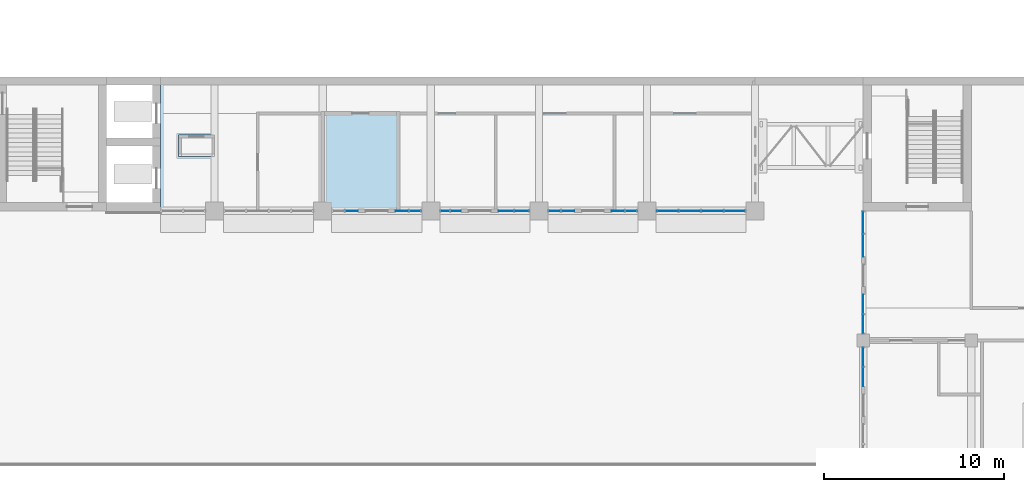
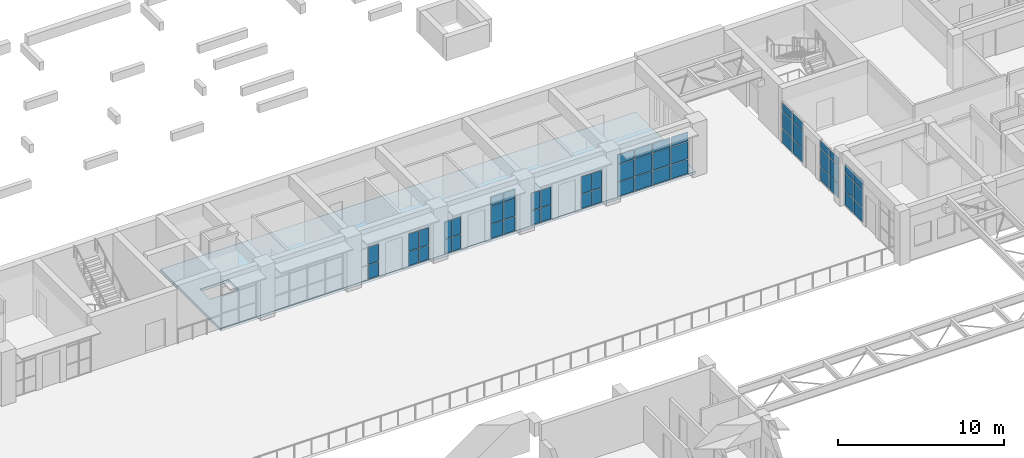
# One storey, part 53 of 103: 54 plates, 1 slab, 10 elements without a shape of their own.
"""IFC4 building model written with IfcOpenShell, lengths in metres."""

from ifc_helpers import new_model, si_unit, direction, frame, origin, origin_2d, place, context, subcontext, project, spatial, polyline, rectangle, outline, extrude, material, layer, layer_set, type_object, element, aggregate, save


model = new_model("IFC4")

# Units and contexts
model_context = context("Model", 3, precision=1e-05, world=origin(), true_north=direction((0.0, 1.0)))
body_context = subcontext(model_context, "Body", "Model", "MODEL_VIEW")
ifc_project = project(units=[si_unit("LENGTHUNIT", "METRE"), si_unit("AREAUNIT", "SQUARE_METRE"), si_unit("VOLUMEUNIT", "CUBIC_METRE"), si_unit("PLANEANGLEUNIT", "RADIAN"), si_unit("MASSUNIT", "GRAM", prefix="KILO")], contexts=[model_context])

# Site, building, storey
site_placement = place(None, origin())
site = spatial("IfcSite", under=ifc_project, at=site_placement, CompositionType="ELEMENT")
building_placement = place(site_placement, origin())
building = spatial("IfcBuilding", under=site, at=building_placement, Name="Laocheng Heights Fire and Rescue Headquarters", CompositionType="ELEMENT")
storey_placement = place(building_placement, frame((0.0, 0.0, 4.199951171875)))
storey = spatial("IfcBuildingStorey", under=building, at=storey_placement, Name="L01", CompositionType="ELEMENT", Elevation=4.199951171875)

# Curtain wall, plates
ifc_material_1 = material(Name="Dark anodised aluminium unitised curtain wall, low-e double glazing", Category="aluminium")
curtain_wall_type_1 = type_object("IfcCurtainWallType", Name="CW 2200 x 3150 CREW COURT GLAZING", PredefinedType="NOTDEFINED", material=ifc_material_1)
curtain_wall_1_placement = place(storey_placement, origin())
curtain_wall_1 = element("IfcCurtainWall", 1, at=curtain_wall_1_placement, inside=storey, type_object=curtain_wall_type_1, Name="X1-W CREW WEST L01", PredefinedType="NOTDEFINED")
ifc_material_2 = material(Name="Low-e double glazed unit, laminated inner pane")
ifc_layer_1 = layer(ifc_material_2, 0.028076171875)
ifc_layer_set_1 = layer_set([ifc_layer_1], Name="Low-e double glazed unit, laminated inner pane")
plate_type_1 = type_object("IfcPlateType", Name="CW VISION PANEL 28 W", PredefinedType="CURTAIN_PANEL", material=ifc_layer_set_1)
plate_1_placement = place(storey_placement, frame((90.0, 41.18505859375, 0.050048828125), z_axis=(0.0, 0.0, 1.0), x_axis=(0.0, 1.0, 0.0)))
plate_1 = element("IfcPlate", 2, at=plate_1_placement, type_object=plate_type_1, Name="X1-W panel 1.1", PredefinedType="CURTAIN_PANEL", context=body_context, shape_type="SweptSolid", body=[
    extrude(rectangle(XDim=1.070068359375, YDim=0.028076171875, at=origin_2d()), origin(), (0.0, 0.0, 1.0), 1.02490234375),
])
plate_2_placement = place(storey_placement, frame((90.0, 41.18505859375, 1.125), z_axis=(0.0, 0.0, 1.0), x_axis=(0.0, 1.0, 0.0)))
plate_2 = element("IfcPlate", 3, at=plate_2_placement, type_object=plate_type_1, Name="X1-W panel 1.2", PredefinedType="CURTAIN_PANEL", context=body_context, shape_type="SweptSolid", body=[
    extrude(rectangle(XDim=1.070068359375, YDim=0.028076171875, at=origin_2d()), origin(), (0.0, 0.0, 1.0), 1.25),
])
plate_3_placement = place(storey_placement, frame((90.0, 41.18505859375, 2.4248046875), z_axis=(0.0, 0.0, 1.0), x_axis=(0.0, 1.0, 0.0)))
plate_3 = element("IfcPlate", 4, at=plate_3_placement, type_object=plate_type_1, Name="X1-W panel 1.3", PredefinedType="CURTAIN_PANEL", context=body_context, shape_type="SweptSolid", body=[
    extrude(rectangle(XDim=1.070068359375, YDim=0.028076171875, at=origin_2d()), origin(), (0.0, 0.0, 1.0), 0.675048828125),
])
plate_4_placement = place(storey_placement, frame((90.0, 42.284912109375, 0.050048828125), z_axis=(0.0, 0.0, 1.0), x_axis=(0.0, 1.0, 0.0)))
plate_4 = element("IfcPlate", 5, at=plate_4_placement, type_object=plate_type_1, Name="X1-W panel 2.1", PredefinedType="CURTAIN_PANEL", context=body_context, shape_type="SweptSolid", body=[
    extrude(rectangle(XDim=1.010009765625, YDim=0.028076171875, at=origin_2d()), origin(), (0.0, 0.0, 1.0), 1.02490234375),
])
plate_5_placement = place(storey_placement, frame((90.0, 42.284912109375, 1.125), z_axis=(0.0, 0.0, 1.0), x_axis=(0.0, 1.0, 0.0)))
plate_5 = element("IfcPlate", 6, at=plate_5_placement, type_object=plate_type_1, Name="X1-W panel 2.2", PredefinedType="CURTAIN_PANEL", context=body_context, shape_type="SweptSolid", body=[
    extrude(rectangle(XDim=1.010009765625, YDim=0.028076171875, at=origin_2d()), origin(), (0.0, 0.0, 1.0), 1.25),
])
plate_6_placement = place(storey_placement, frame((90.0, 42.284912109375, 2.4248046875), z_axis=(0.0, 0.0, 1.0), x_axis=(0.0, 1.0, 0.0)))
plate_6 = element("IfcPlate", 7, at=plate_6_placement, type_object=plate_type_1, Name="X1-W panel 2.3", PredefinedType="CURTAIN_PANEL", context=body_context, shape_type="SweptSolid", body=[
    extrude(rectangle(XDim=1.010009765625, YDim=0.028076171875, at=origin_2d()), origin(), (0.0, 0.0, 1.0), 0.675048828125),
])
aggregate(curtain_wall_1, [plate_1, plate_2, plate_3, plate_4, plate_5, plate_6])

ifc_material_3 = material(Name="Dark anodised aluminium unitised curtain wall, low-e double glazing", Category="aluminium")
curtain_wall_type_2 = type_object("IfcCurtainWallType", Name="CW 2200 x 3050 CREW COURT GLAZING", PredefinedType="NOTDEFINED", material=ifc_material_3)
curtain_wall_2_placement = place(storey_placement, origin())
curtain_wall_2 = element("IfcCurtainWall", 8, at=curtain_wall_2_placement, inside=storey, type_object=curtain_wall_type_2, Name="X2-W CREW WEST L01", PredefinedType="NOTDEFINED")
plate_7_placement = place(storey_placement, frame((90.0, 44.114990234375, 0.050048828125), z_axis=(0.0, 0.0, 1.0), x_axis=(0.0, 1.0, 0.0)))
plate_7 = element("IfcPlate", 9, at=plate_7_placement, type_object=plate_type_1, Name="X2-W panel 1.1", PredefinedType="CURTAIN_PANEL", context=body_context, shape_type="SweptSolid", body=[
    extrude(rectangle(XDim=1.010009765625, YDim=0.028076171875, at=origin_2d()), origin(), (0.0, 0.0, 1.0), 1.02490234375),
])
plate_8_placement = place(storey_placement, frame((90.0, 44.114990234375, 1.125), z_axis=(0.0, 0.0, 1.0), x_axis=(0.0, 1.0, 0.0)))
plate_8 = element("IfcPlate", 10, at=plate_8_placement, type_object=plate_type_1, Name="X2-W panel 1.2", PredefinedType="CURTAIN_PANEL", context=body_context, shape_type="SweptSolid", body=[
    extrude(rectangle(XDim=1.010009765625, YDim=0.028076171875, at=origin_2d()), origin(), (0.0, 0.0, 1.0), 1.25),
])
plate_9_placement = place(storey_placement, frame((90.0, 44.114990234375, 2.42529296875), z_axis=(0.0, 0.0, 1.0), x_axis=(0.0, 1.0, 0.0)))
plate_9 = element("IfcPlate", 11, at=plate_9_placement, type_object=plate_type_1, Name="X2-W panel 1.3", PredefinedType="CURTAIN_PANEL", context=body_context, shape_type="SweptSolid", body=[
    extrude(rectangle(XDim=1.010009765625, YDim=0.028076171875, at=origin_2d()), origin(), (0.0, 0.0, 1.0), 0.574951171875),
])
plate_10_placement = place(storey_placement, frame((90.0, 45.215087890625, 0.050048828125), z_axis=(0.0, 0.0, 1.0), x_axis=(0.0, 1.0, 0.0)))
plate_10 = element("IfcPlate", 12, at=plate_10_placement, type_object=plate_type_1, Name="X2-W panel 2.1", PredefinedType="CURTAIN_PANEL", context=body_context, shape_type="SweptSolid", body=[
    extrude(rectangle(XDim=1.070068359375, YDim=0.028076171875, at=origin_2d()), origin(), (0.0, 0.0, 1.0), 1.02490234375),
])
plate_11_placement = place(storey_placement, frame((90.0, 45.215087890625, 1.125), z_axis=(0.0, 0.0, 1.0), x_axis=(0.0, 1.0, 0.0)))
plate_11 = element("IfcPlate", 13, at=plate_11_placement, type_object=plate_type_1, Name="X2-W panel 2.2", PredefinedType="CURTAIN_PANEL", context=body_context, shape_type="SweptSolid", body=[
    extrude(rectangle(XDim=1.070068359375, YDim=0.028076171875, at=origin_2d()), origin(), (0.0, 0.0, 1.0), 1.25),
])
plate_12_placement = place(storey_placement, frame((90.0, 45.215087890625, 2.42529296875), z_axis=(0.0, 0.0, 1.0), x_axis=(0.0, 1.0, 0.0)))
plate_12 = element("IfcPlate", 14, at=plate_12_placement, type_object=plate_type_1, Name="X2-W panel 2.3", PredefinedType="CURTAIN_PANEL", context=body_context, shape_type="SweptSolid", body=[
    extrude(rectangle(XDim=1.070068359375, YDim=0.028076171875, at=origin_2d()), origin(), (0.0, 0.0, 1.0), 0.574951171875),
])
aggregate(curtain_wall_2, [plate_7, plate_8, plate_9, plate_10, plate_11, plate_12])

ifc_material_4 = material(Name="Dark anodised aluminium unitised curtain wall, low-e double glazing", Category="aluminium")
curtain_wall_type_3 = type_object("IfcCurtainWallType", Name="CW 2550 x 3050 CREW COURT GLAZING", PredefinedType="NOTDEFINED", material=ifc_material_4)
curtain_wall_3_placement = place(storey_placement, origin())
curtain_wall_3 = element("IfcCurtainWall", 15, at=curtain_wall_3_placement, inside=storey, type_object=curtain_wall_type_3, Name="X3-W CREW WEST L01", PredefinedType="NOTDEFINED")
plate_13_placement = place(storey_placement, frame((90.0, 48.472412109375, 0.050048828125), z_axis=(0.0, 0.0, 1.0), x_axis=(0.0, 1.0, 0.0)))
plate_13 = element("IfcPlate", 16, at=plate_13_placement, type_object=plate_type_1, Name="X3-W panel 1.1", PredefinedType="CURTAIN_PANEL", context=body_context, shape_type="SweptSolid", body=[
    extrude(rectangle(XDim=1.2451171875, YDim=0.028076171875, at=origin_2d()), origin(), (0.0, 0.0, 1.0), 1.02490234375),
])
plate_14_placement = place(storey_placement, frame((90.0, 48.472412109375, 1.125), z_axis=(0.0, 0.0, 1.0), x_axis=(0.0, 1.0, 0.0)))
plate_14 = element("IfcPlate", 17, at=plate_14_placement, type_object=plate_type_1, Name="X3-W panel 1.2", PredefinedType="CURTAIN_PANEL", context=body_context, shape_type="SweptSolid", body=[
    extrude(rectangle(XDim=1.2451171875, YDim=0.028076171875, at=origin_2d()), origin(), (0.0, 0.0, 1.0), 1.25),
])
plate_15_placement = place(storey_placement, frame((90.0, 48.472412109375, 2.42529296875), z_axis=(0.0, 0.0, 1.0), x_axis=(0.0, 1.0, 0.0)))
plate_15 = element("IfcPlate", 18, at=plate_15_placement, type_object=plate_type_1, Name="X3-W panel 1.3", PredefinedType="CURTAIN_PANEL", context=body_context, shape_type="SweptSolid", body=[
    extrude(rectangle(XDim=1.2451171875, YDim=0.028076171875, at=origin_2d()), origin(), (0.0, 0.0, 1.0), 0.574951171875),
])
plate_16_placement = place(storey_placement, frame((90.0, 49.74755859375, 0.050048828125), z_axis=(0.0, 0.0, 1.0), x_axis=(0.0, 1.0, 0.0)))
plate_16 = element("IfcPlate", 19, at=plate_16_placement, type_object=plate_type_1, Name="X3-W panel 2.1", PredefinedType="CURTAIN_PANEL", context=body_context, shape_type="SweptSolid", body=[
    extrude(rectangle(XDim=1.18505859375, YDim=0.028076171875, at=origin_2d()), origin(), (0.0, 0.0, 1.0), 1.02490234375),
])
plate_17_placement = place(storey_placement, frame((90.0, 49.74755859375, 1.125), z_axis=(0.0, 0.0, 1.0), x_axis=(0.0, 1.0, 0.0)))
plate_17 = element("IfcPlate", 20, at=plate_17_placement, type_object=plate_type_1, Name="X3-W panel 2.2", PredefinedType="CURTAIN_PANEL", context=body_context, shape_type="SweptSolid", body=[
    extrude(rectangle(XDim=1.18505859375, YDim=0.028076171875, at=origin_2d()), origin(), (0.0, 0.0, 1.0), 1.25),
])
plate_18_placement = place(storey_placement, frame((90.0, 49.74755859375, 2.42529296875), z_axis=(0.0, 0.0, 1.0), x_axis=(0.0, 1.0, 0.0)))
plate_18 = element("IfcPlate", 21, at=plate_18_placement, type_object=plate_type_1, Name="X3-W panel 2.3", PredefinedType="CURTAIN_PANEL", context=body_context, shape_type="SweptSolid", body=[
    extrude(rectangle(XDim=1.18505859375, YDim=0.028076171875, at=origin_2d()), origin(), (0.0, 0.0, 1.0), 0.574951171875),
])
aggregate(curtain_wall_3, [plate_13, plate_14, plate_15, plate_16, plate_17, plate_18])

ifc_material_5 = material(Name="Dark anodised aluminium unitised curtain wall, low-e double glazing", Category="aluminium")
curtain_wall_type_4 = type_object("IfcCurtainWallType", Name="CW 1450 x 3150 HQ SOUTH RIBBON", PredefinedType="NOTDEFINED", material=ifc_material_5)
curtain_wall_4_placement = place(storey_placement, origin())
curtain_wall_4 = element("IfcCurtainWall", 22, at=curtain_wall_4_placement, inside=storey, type_object=curtain_wall_type_4, Name="X5-X HQ SOUTH L01", PredefinedType="NOTDEFINED")
ifc_material_6 = material(Name="Low-e double glazed unit, laminated inner pane")
ifc_layer_2 = layer(ifc_material_6, 0.028076171875)
ifc_layer_set_2 = layer_set([ifc_layer_2], Name="Low-e double glazed unit, laminated inner pane")
plate_type_2 = type_object("IfcPlateType", Name="CW VISION PANEL 28 X", PredefinedType="CURTAIN_PANEL", material=ifc_layer_set_2)
plate_19_placement = place(storey_placement, frame((61.6025390625, 50.39990234375, 0.050048828125), z_axis=(0.0, 0.0, 1.0), x_axis=(1.0, 0.0, 0.0)))
plate_19 = element("IfcPlate", 23, at=plate_19_placement, type_object=plate_type_2, Name="X5-X panel 2.1", PredefinedType="CURTAIN_PANEL", context=body_context, shape_type="SweptSolid", body=[
    extrude(rectangle(XDim=0.695068359375, YDim=0.028076171875, at=origin_2d()), origin(), (0.0, 0.0, 1.0), 1.02490234375),
])
plate_20_placement = place(storey_placement, frame((61.6025390625, 50.39990234375, 1.125), z_axis=(0.0, 0.0, 1.0), x_axis=(1.0, 0.0, 0.0)))
plate_20 = element("IfcPlate", 24, at=plate_20_placement, type_object=plate_type_2, Name="X5-X panel 2.2", PredefinedType="CURTAIN_PANEL", context=body_context, shape_type="SweptSolid", body=[
    extrude(rectangle(XDim=0.695068359375, YDim=0.028076171875, at=origin_2d()), origin(), (0.0, 0.0, 1.0), 1.25),
])
aggregate(curtain_wall_4, [plate_19, plate_20])

curtain_wall_5_placement = place(storey_placement, origin())
curtain_wall_5 = element("IfcCurtainWall", 25, at=curtain_wall_5_placement, inside=storey, type_object=curtain_wall_type_4, Name="X5-X HQ SOUTH L01", PredefinedType="NOTDEFINED")
plate_21_placement = place(storey_placement, frame((64.3974609375, 50.39990234375, 0.050048828125), z_axis=(0.0, 0.0, 1.0), x_axis=(1.0, 0.0, 0.0)))
plate_21 = element("IfcPlate", 26, at=plate_21_placement, type_object=plate_type_2, Name="X5-X panel 1.1", PredefinedType="CURTAIN_PANEL", context=body_context, shape_type="SweptSolid", body=[
    extrude(rectangle(XDim=0.695068359375, YDim=0.028076171875, at=origin_2d()), origin(), (0.0, 0.0, 1.0), 1.02490234375),
])
plate_22_placement = place(storey_placement, frame((64.3974609375, 50.39990234375, 1.125), z_axis=(0.0, 0.0, 1.0), x_axis=(1.0, 0.0, 0.0)))
plate_22 = element("IfcPlate", 27, at=plate_22_placement, type_object=plate_type_2, Name="X5-X panel 1.2", PredefinedType="CURTAIN_PANEL", context=body_context, shape_type="SweptSolid", body=[
    extrude(rectangle(XDim=0.695068359375, YDim=0.028076171875, at=origin_2d()), origin(), (0.0, 0.0, 1.0), 1.25),
])
plate_23_placement = place(storey_placement, frame((65.12255859375, 50.39990234375, 0.050048828125), z_axis=(0.0, 0.0, 1.0), x_axis=(1.0, 0.0, 0.0)))
plate_23 = element("IfcPlate", 28, at=plate_23_placement, type_object=plate_type_2, Name="X5-X panel 2.1", PredefinedType="CURTAIN_PANEL", context=body_context, shape_type="SweptSolid", body=[
    extrude(rectangle(XDim=0.635009765625, YDim=0.028076171875, at=origin_2d()), origin(), (0.0, 0.0, 1.0), 1.02490234375),
])
plate_24_placement = place(storey_placement, frame((65.12255859375, 50.39990234375, 1.125), z_axis=(0.0, 0.0, 1.0), x_axis=(1.0, 0.0, 0.0)))
plate_24 = element("IfcPlate", 29, at=plate_24_placement, type_object=plate_type_2, Name="X5-X panel 2.2", PredefinedType="CURTAIN_PANEL", context=body_context, shape_type="SweptSolid", body=[
    extrude(rectangle(XDim=0.635009765625, YDim=0.028076171875, at=origin_2d()), origin(), (0.0, 0.0, 1.0), 1.25),
])
aggregate(curtain_wall_5, [plate_21, plate_22, plate_23, plate_24])

ifc_material_7 = material(Name="Dark anodised aluminium unitised curtain wall, low-e double glazing", Category="aluminium")
curtain_wall_type_5 = type_object("IfcCurtainWallType", Name="CW 1170 x 3150 HQ SOUTH RIBBON", PredefinedType="NOTDEFINED", material=ifc_material_7)
curtain_wall_6_placement = place(storey_placement, origin())
curtain_wall_6 = element("IfcCurtainWall", 30, at=curtain_wall_6_placement, inside=storey, type_object=curtain_wall_type_5, Name="X6-X HQ SOUTH L01", PredefinedType="NOTDEFINED")
plate_25_placement = place(storey_placement, frame((66.8076171875, 50.39990234375, 0.050048828125), z_axis=(0.0, 0.0, 1.0), x_axis=(1.0, 0.0, 0.0)))
plate_25 = element("IfcPlate", 31, at=plate_25_placement, type_object=plate_type_2, Name="X6-X panel 1.1", PredefinedType="CURTAIN_PANEL", context=body_context, shape_type="SweptSolid", body=[
    extrude(rectangle(XDim=0.4951171875, YDim=0.028076171875, at=origin_2d()), origin(), (0.0, 0.0, 1.0), 1.02490234375),
])
plate_26_placement = place(storey_placement, frame((66.8076171875, 50.39990234375, 1.125), z_axis=(0.0, 0.0, 1.0), x_axis=(1.0, 0.0, 0.0)))
plate_26 = element("IfcPlate", 32, at=plate_26_placement, type_object=plate_type_2, Name="X6-X panel 1.2", PredefinedType="CURTAIN_PANEL", context=body_context, shape_type="SweptSolid", body=[
    extrude(rectangle(XDim=0.4951171875, YDim=0.028076171875, at=origin_2d()), origin(), (0.0, 0.0, 1.0), 1.25),
])
plate_27_placement = place(storey_placement, frame((67.392578125, 50.39990234375, 0.050048828125), z_axis=(0.0, 0.0, 1.0), x_axis=(1.0, 0.0, 0.0)))
plate_27 = element("IfcPlate", 33, at=plate_27_placement, type_object=plate_type_2, Name="X6-X panel 2.1", PredefinedType="CURTAIN_PANEL", context=body_context, shape_type="SweptSolid", body=[
    extrude(rectangle(XDim=0.554931640625, YDim=0.028076171875, at=origin_2d()), origin(), (0.0, 0.0, 1.0), 1.02490234375),
])
plate_28_placement = place(storey_placement, frame((67.392578125, 50.39990234375, 1.125), z_axis=(0.0, 0.0, 1.0), x_axis=(1.0, 0.0, 0.0)))
plate_28 = element("IfcPlate", 34, at=plate_28_placement, type_object=plate_type_2, Name="X6-X panel 2.2", PredefinedType="CURTAIN_PANEL", context=body_context, shape_type="SweptSolid", body=[
    extrude(rectangle(XDim=0.554931640625, YDim=0.028076171875, at=origin_2d()), origin(), (0.0, 0.0, 1.0), 1.25),
])
aggregate(curtain_wall_6, [plate_25, plate_26, plate_27, plate_28])

ifc_material_8 = material(Name="Dark anodised aluminium unitised curtain wall, low-e double glazing", Category="aluminium")
curtain_wall_type_6 = type_object("IfcCurtainWallType", Name="CW 1730 x 3150 HQ SOUTH RIBBON", PredefinedType="NOTDEFINED", material=ifc_material_8)
curtain_wall_7_placement = place(storey_placement, origin())
curtain_wall_7 = element("IfcCurtainWall", 35, at=curtain_wall_7_placement, inside=storey, type_object=curtain_wall_type_6, Name="X7-X HQ SOUTH L01", PredefinedType="NOTDEFINED")
plate_29_placement = place(storey_placement, frame((70.1875, 50.39990234375, 0.050048828125), z_axis=(0.0, 0.0, 1.0), x_axis=(1.0, 0.0, 0.0)))
plate_29 = element("IfcPlate", 36, at=plate_29_placement, type_object=plate_type_2, Name="X7-X panel 1.1", PredefinedType="CURTAIN_PANEL", context=body_context, shape_type="SweptSolid", body=[
    extrude(rectangle(XDim=0.8349609375, YDim=0.028076171875, at=origin_2d()), origin(), (0.0, 0.0, 1.0), 1.02490234375),
])
plate_30_placement = place(storey_placement, frame((70.1875, 50.39990234375, 1.125), z_axis=(0.0, 0.0, 1.0), x_axis=(1.0, 0.0, 0.0)))
plate_30 = element("IfcPlate", 37, at=plate_30_placement, type_object=plate_type_2, Name="X7-X panel 1.2", PredefinedType="CURTAIN_PANEL", context=body_context, shape_type="SweptSolid", body=[
    extrude(rectangle(XDim=0.8349609375, YDim=0.028076171875, at=origin_2d()), origin(), (0.0, 0.0, 1.0), 1.25),
])
plate_31_placement = place(storey_placement, frame((70.1875, 50.39990234375, 2.4248046875), z_axis=(0.0, 0.0, 1.0), x_axis=(1.0, 0.0, 0.0)))
plate_31 = element("IfcPlate", 38, at=plate_31_placement, type_object=plate_type_2, Name="X7-X panel 1.3", PredefinedType="CURTAIN_PANEL", context=body_context, shape_type="SweptSolid", body=[
    extrude(rectangle(XDim=0.8349609375, YDim=0.028076171875, at=origin_2d()), origin(), (0.0, 0.0, 1.0), 0.675048828125),
])
plate_32_placement = place(storey_placement, frame((71.052490234375, 50.39990234375, 0.050048828125), z_axis=(0.0, 0.0, 1.0), x_axis=(1.0, 0.0, 0.0)))
plate_32 = element("IfcPlate", 39, at=plate_32_placement, type_object=plate_type_2, Name="X7-X panel 2.1", PredefinedType="CURTAIN_PANEL", context=body_context, shape_type="SweptSolid", body=[
    extrude(rectangle(XDim=0.77490234375, YDim=0.028076171875, at=origin_2d()), origin(), (0.0, 0.0, 1.0), 1.02490234375),
])
plate_33_placement = place(storey_placement, frame((71.052490234375, 50.39990234375, 1.125), z_axis=(0.0, 0.0, 1.0), x_axis=(1.0, 0.0, 0.0)))
plate_33 = element("IfcPlate", 40, at=plate_33_placement, type_object=plate_type_2, Name="X7-X panel 2.2", PredefinedType="CURTAIN_PANEL", context=body_context, shape_type="SweptSolid", body=[
    extrude(rectangle(XDim=0.77490234375, YDim=0.028076171875, at=origin_2d()), origin(), (0.0, 0.0, 1.0), 1.25),
])
plate_34_placement = place(storey_placement, frame((71.052490234375, 50.39990234375, 2.4248046875), z_axis=(0.0, 0.0, 1.0), x_axis=(1.0, 0.0, 0.0)))
plate_34 = element("IfcPlate", 41, at=plate_34_placement, type_object=plate_type_2, Name="X7-X panel 2.3", PredefinedType="CURTAIN_PANEL", context=body_context, shape_type="SweptSolid", body=[
    extrude(rectangle(XDim=0.77490234375, YDim=0.028076171875, at=origin_2d()), origin(), (0.0, 0.0, 1.0), 0.675048828125),
])
aggregate(curtain_wall_7, [plate_29, plate_30, plate_31, plate_32, plate_33, plate_34])

curtain_wall_8_placement = place(storey_placement, origin())
curtain_wall_8 = element("IfcCurtainWall", 42, at=curtain_wall_8_placement, inside=storey, type_object=curtain_wall_type_4, Name="X5-X HQ SOUTH L01", PredefinedType="NOTDEFINED")
plate_35_placement = place(storey_placement, frame((72.87744140625, 50.39990234375, 0.050048828125), z_axis=(0.0, 0.0, 1.0), x_axis=(1.0, 0.0, 0.0)))
plate_35 = element("IfcPlate", 43, at=plate_35_placement, type_object=plate_type_2, Name="X5-X panel 1.1", PredefinedType="CURTAIN_PANEL", context=body_context, shape_type="SweptSolid", body=[
    extrude(rectangle(XDim=0.635009765625, YDim=0.028076171875, at=origin_2d()), origin(), (0.0, 0.0, 1.0), 1.02490234375),
])
plate_36_placement = place(storey_placement, frame((72.87744140625, 50.39990234375, 1.125), z_axis=(0.0, 0.0, 1.0), x_axis=(1.0, 0.0, 0.0)))
plate_36 = element("IfcPlate", 44, at=plate_36_placement, type_object=plate_type_2, Name="X5-X panel 1.2", PredefinedType="CURTAIN_PANEL", context=body_context, shape_type="SweptSolid", body=[
    extrude(rectangle(XDim=0.635009765625, YDim=0.028076171875, at=origin_2d()), origin(), (0.0, 0.0, 1.0), 1.25),
])
plate_37_placement = place(storey_placement, frame((73.6025390625, 50.39990234375, 0.050048828125), z_axis=(0.0, 0.0, 1.0), x_axis=(1.0, 0.0, 0.0)))
plate_37 = element("IfcPlate", 45, at=plate_37_placement, type_object=plate_type_2, Name="X5-X panel 2.1", PredefinedType="CURTAIN_PANEL", context=body_context, shape_type="SweptSolid", body=[
    extrude(rectangle(XDim=0.695068359375, YDim=0.028076171875, at=origin_2d()), origin(), (0.0, 0.0, 1.0), 1.02490234375),
])
plate_38_placement = place(storey_placement, frame((73.6025390625, 50.39990234375, 1.125), z_axis=(0.0, 0.0, 1.0), x_axis=(1.0, 0.0, 0.0)))
plate_38 = element("IfcPlate", 46, at=plate_38_placement, type_object=plate_type_2, Name="X5-X panel 2.2", PredefinedType="CURTAIN_PANEL", context=body_context, shape_type="SweptSolid", body=[
    extrude(rectangle(XDim=0.695068359375, YDim=0.028076171875, at=origin_2d()), origin(), (0.0, 0.0, 1.0), 1.25),
])
aggregate(curtain_wall_8, [plate_35, plate_36, plate_37, plate_38])

curtain_wall_9_placement = place(storey_placement, origin())
curtain_wall_9 = element("IfcCurtainWall", 47, at=curtain_wall_9_placement, inside=storey, type_object=curtain_wall_type_4, Name="X5-X HQ SOUTH L01", PredefinedType="NOTDEFINED")
plate_39_placement = place(storey_placement, frame((76.3974609375, 50.39990234375, 0.050048828125), z_axis=(0.0, 0.0, 1.0), x_axis=(1.0, 0.0, 0.0)))
plate_39 = element("IfcPlate", 48, at=plate_39_placement, type_object=plate_type_2, Name="X5-X panel 1.1", PredefinedType="CURTAIN_PANEL", context=body_context, shape_type="SweptSolid", body=[
    extrude(rectangle(XDim=0.695068359375, YDim=0.028076171875, at=origin_2d()), origin(), (0.0, 0.0, 1.0), 1.02490234375),
])
plate_40_placement = place(storey_placement, frame((76.3974609375, 50.39990234375, 1.125), z_axis=(0.0, 0.0, 1.0), x_axis=(1.0, 0.0, 0.0)))
plate_40 = element("IfcPlate", 49, at=plate_40_placement, type_object=plate_type_2, Name="X5-X panel 1.2", PredefinedType="CURTAIN_PANEL", context=body_context, shape_type="SweptSolid", body=[
    extrude(rectangle(XDim=0.695068359375, YDim=0.028076171875, at=origin_2d()), origin(), (0.0, 0.0, 1.0), 1.25),
])
plate_41_placement = place(storey_placement, frame((77.12255859375, 50.39990234375, 0.050048828125), z_axis=(0.0, 0.0, 1.0), x_axis=(1.0, 0.0, 0.0)))
plate_41 = element("IfcPlate", 50, at=plate_41_placement, type_object=plate_type_2, Name="X5-X panel 2.1", PredefinedType="CURTAIN_PANEL", context=body_context, shape_type="SweptSolid", body=[
    extrude(rectangle(XDim=0.635009765625, YDim=0.028076171875, at=origin_2d()), origin(), (0.0, 0.0, 1.0), 1.02490234375),
])
plate_42_placement = place(storey_placement, frame((77.12255859375, 50.39990234375, 1.125), z_axis=(0.0, 0.0, 1.0), x_axis=(1.0, 0.0, 0.0)))
plate_42 = element("IfcPlate", 51, at=plate_42_placement, type_object=plate_type_2, Name="X5-X panel 2.2", PredefinedType="CURTAIN_PANEL", context=body_context, shape_type="SweptSolid", body=[
    extrude(rectangle(XDim=0.635009765625, YDim=0.028076171875, at=origin_2d()), origin(), (0.0, 0.0, 1.0), 1.25),
])
aggregate(curtain_wall_9, [plate_39, plate_40, plate_41, plate_42])

ifc_material_9 = material(Name="Dark anodised aluminium unitised curtain wall, low-e double glazing", Category="aluminium")
curtain_wall_type_7 = type_object("IfcCurtainWallType", Name="CW 5000 x 3150 HQ SOUTH RIBBON", PredefinedType="NOTDEFINED", material=ifc_material_9)
curtain_wall_10_placement = place(storey_placement, origin())
curtain_wall_10 = element("IfcCurtainWall", 52, at=curtain_wall_10_placement, inside=storey, type_object=curtain_wall_type_7, Name="X4-X HQ SOUTH L01", PredefinedType="NOTDEFINED")
plate_43_placement = place(storey_placement, frame((79.139892578125, 50.39990234375, 0.050048828125), z_axis=(0.0, 0.0, 1.0), x_axis=(1.0, 0.0, 0.0)))
plate_43 = element("IfcPlate", 53, at=plate_43_placement, type_object=plate_type_2, Name="X4-X panel 1.1", PredefinedType="CURTAIN_PANEL", context=body_context, shape_type="SweptSolid", body=[
    extrude(rectangle(XDim=1.159912109375, YDim=0.028076171875, at=origin_2d()), origin(), (0.0, 0.0, 1.0), 1.02490234375),
])
plate_44_placement = place(storey_placement, frame((79.139892578125, 50.39990234375, 1.125), z_axis=(0.0, 0.0, 1.0), x_axis=(1.0, 0.0, 0.0)))
plate_44 = element("IfcPlate", 54, at=plate_44_placement, type_object=plate_type_2, Name="X4-X panel 1.2", PredefinedType="CURTAIN_PANEL", context=body_context, shape_type="SweptSolid", body=[
    extrude(rectangle(XDim=1.159912109375, YDim=0.028076171875, at=origin_2d()), origin(), (0.0, 0.0, 1.0), 1.25),
])
plate_45_placement = place(storey_placement, frame((79.139892578125, 50.39990234375, 2.4248046875), z_axis=(0.0, 0.0, 1.0), x_axis=(1.0, 0.0, 0.0)))
plate_45 = element("IfcPlate", 55, at=plate_45_placement, type_object=plate_type_2, Name="X4-X panel 1.3", PredefinedType="CURTAIN_PANEL", context=body_context, shape_type="SweptSolid", body=[
    extrude(rectangle(XDim=1.159912109375, YDim=0.028076171875, at=origin_2d()), origin(), (0.0, 0.0, 1.0), 0.675048828125),
])
plate_46_placement = place(storey_placement, frame((80.375, 50.39990234375, 0.050048828125), z_axis=(0.0, 0.0, 1.0), x_axis=(1.0, 0.0, 0.0)))
plate_46 = element("IfcPlate", 56, at=plate_46_placement, type_object=plate_type_2, Name="X4-X panel 2.1", PredefinedType="CURTAIN_PANEL", context=body_context, shape_type="SweptSolid", body=[
    extrude(rectangle(XDim=1.18994140625, YDim=0.028076171875, at=origin_2d()), origin(), (0.0, 0.0, 1.0), 1.02490234375),
])
plate_47_placement = place(storey_placement, frame((80.375, 50.39990234375, 1.125), z_axis=(0.0, 0.0, 1.0), x_axis=(1.0, 0.0, 0.0)))
plate_47 = element("IfcPlate", 57, at=plate_47_placement, type_object=plate_type_2, Name="X4-X panel 2.2", PredefinedType="CURTAIN_PANEL", context=body_context, shape_type="SweptSolid", body=[
    extrude(rectangle(XDim=1.18994140625, YDim=0.028076171875, at=origin_2d()), origin(), (0.0, 0.0, 1.0), 1.25),
])
plate_48_placement = place(storey_placement, frame((80.375, 50.39990234375, 2.4248046875), z_axis=(0.0, 0.0, 1.0), x_axis=(1.0, 0.0, 0.0)))
plate_48 = element("IfcPlate", 58, at=plate_48_placement, type_object=plate_type_2, Name="X4-X panel 2.3", PredefinedType="CURTAIN_PANEL", context=body_context, shape_type="SweptSolid", body=[
    extrude(rectangle(XDim=1.18994140625, YDim=0.028076171875, at=origin_2d()), origin(), (0.0, 0.0, 1.0), 0.675048828125),
])
plate_49_placement = place(storey_placement, frame((81.625, 50.39990234375, 0.050048828125), z_axis=(0.0, 0.0, 1.0), x_axis=(1.0, 0.0, 0.0)))
plate_49 = element("IfcPlate", 59, at=plate_49_placement, type_object=plate_type_2, Name="X4-X panel 3.1", PredefinedType="CURTAIN_PANEL", context=body_context, shape_type="SweptSolid", body=[
    extrude(rectangle(XDim=1.18994140625, YDim=0.028076171875, at=origin_2d()), origin(), (0.0, 0.0, 1.0), 1.02490234375),
])
plate_50_placement = place(storey_placement, frame((81.625, 50.39990234375, 1.125), z_axis=(0.0, 0.0, 1.0), x_axis=(1.0, 0.0, 0.0)))
plate_50 = element("IfcPlate", 60, at=plate_50_placement, type_object=plate_type_2, Name="X4-X panel 3.2", PredefinedType="CURTAIN_PANEL", context=body_context, shape_type="SweptSolid", body=[
    extrude(rectangle(XDim=1.18994140625, YDim=0.028076171875, at=origin_2d()), origin(), (0.0, 0.0, 1.0), 1.25),
])
plate_51_placement = place(storey_placement, frame((81.625, 50.39990234375, 2.4248046875), z_axis=(0.0, 0.0, 1.0), x_axis=(1.0, 0.0, 0.0)))
plate_51 = element("IfcPlate", 61, at=plate_51_placement, type_object=plate_type_2, Name="X4-X panel 3.3", PredefinedType="CURTAIN_PANEL", context=body_context, shape_type="SweptSolid", body=[
    extrude(rectangle(XDim=1.18994140625, YDim=0.028076171875, at=origin_2d()), origin(), (0.0, 0.0, 1.0), 0.675048828125),
])
plate_52_placement = place(storey_placement, frame((82.860107421875, 50.39990234375, 0.050048828125), z_axis=(0.0, 0.0, 1.0), x_axis=(1.0, 0.0, 0.0)))
plate_52 = element("IfcPlate", 62, at=plate_52_placement, type_object=plate_type_2, Name="X4-X panel 4.1", PredefinedType="CURTAIN_PANEL", context=body_context, shape_type="SweptSolid", body=[
    extrude(rectangle(XDim=1.159912109375, YDim=0.028076171875, at=origin_2d()), origin(), (0.0, 0.0, 1.0), 1.02490234375),
])
plate_53_placement = place(storey_placement, frame((82.860107421875, 50.39990234375, 1.125), z_axis=(0.0, 0.0, 1.0), x_axis=(1.0, 0.0, 0.0)))
plate_53 = element("IfcPlate", 63, at=plate_53_placement, type_object=plate_type_2, Name="X4-X panel 4.2", PredefinedType="CURTAIN_PANEL", context=body_context, shape_type="SweptSolid", body=[
    extrude(rectangle(XDim=1.159912109375, YDim=0.028076171875, at=origin_2d()), origin(), (0.0, 0.0, 1.0), 1.25),
])
plate_54_placement = place(storey_placement, frame((82.860107421875, 50.39990234375, 2.4248046875), z_axis=(0.0, 0.0, 1.0), x_axis=(1.0, 0.0, 0.0)))
plate_54 = element("IfcPlate", 64, at=plate_54_placement, type_object=plate_type_2, Name="X4-X panel 4.3", PredefinedType="CURTAIN_PANEL", context=body_context, shape_type="SweptSolid", body=[
    extrude(rectangle(XDim=1.159912109375, YDim=0.028076171875, at=origin_2d()), origin(), (0.0, 0.0, 1.0), 0.675048828125),
])
aggregate(curtain_wall_10, [plate_43, plate_44, plate_45, plate_46, plate_47, plate_48, plate_49, plate_50, plate_51, plate_52, plate_53, plate_54])

# Slab
ifc_material_10 = material(Name="Concrete C35", Category="concrete")
ifc_layer_3 = layer(ifc_material_10, 0.199951171875)
ifc_layer_set_3 = layer_set([ifc_layer_3], Name="Concrete C35")
slab_type = type_object("IfcSlabType", Name="RC GROUND SLAB 200 HQ", PredefinedType="BASESLAB", material=ifc_layer_set_3)
slab_placement = place(storey_placement, frame((0.0, 0.0, -0.199951171875)))
element("IfcSlab", 65, at=slab_placement, inside=storey, type_object=slab_type, Name="HQ floor L01", PredefinedType="BASESLAB", context=body_context, shape_type="SweptSolid", body=[
    extrude(outline(polyline([(84.0, 57.60009765625), (51.0, 57.60009765625), (51.0, 50.39990234375), (84.0, 50.39990234375), (84.0, 57.60009765625)]), holes=[polyline([(54.0, 54.60009765625), (54.0, 53.39990234375), (52.0, 53.39990234375), (52.0, 54.60009765625), (54.0, 54.60009765625)])]), origin(), (0.0, 0.0, 1.0), 0.199951171875),
])

save(model, "model.ifc")
